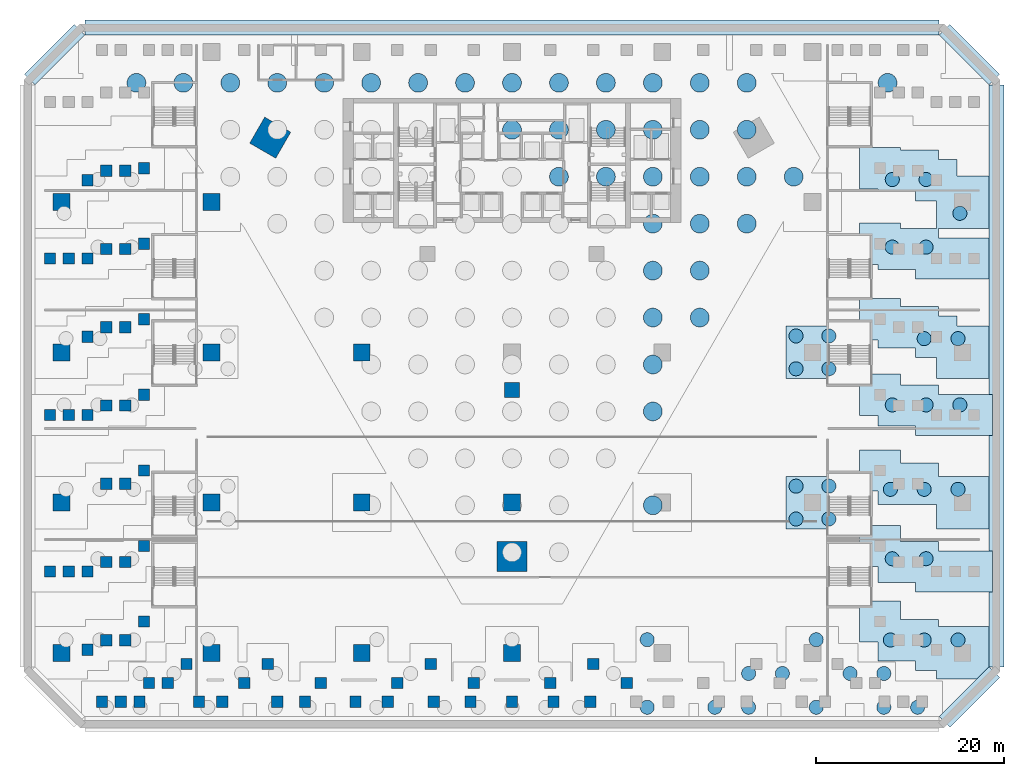
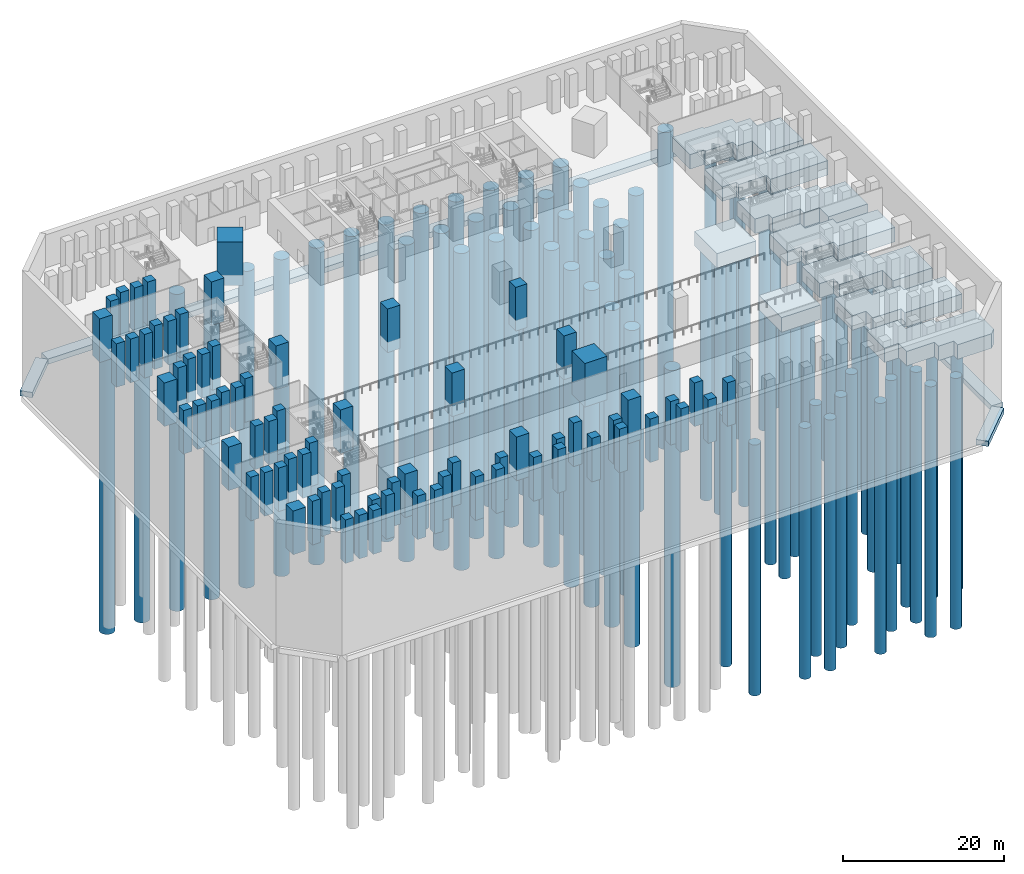
# One storey, part 2 of 27: 75 columns, 75 piles, 13 footings.
"""IFC4 building model written with IfcOpenShell, lengths in metres."""

import ifcopenshell
import ifcopenshell.guid

model = None  # the IFC model being written
_history = None  # IfcOwnerHistory: only IFC2X3 demands one
_inside = {}  # id of a spatial element -> (the spatial element, [elements in it])
_under = {}  # id of a project, library or spatial element -> (it, [spatial elements below it])
_declared = {}  # id of a project -> (the project, [libraries it declares])
_typed = {}  # id of a type object -> (the type object, [elements of that type])
_made_of = {}  # id of a material, layer set ... -> (it, [elements and type objects made of it])


def new_model(schema):
    """Start an empty IFC model of exactly this schema.

    Asked for "IFC4X3", IfcOpenShell would pick the latest addendum, in which some entities
    have other attributes; the version numbers below select the first issue.
    IFC2X3 requires an IfcOwnerHistory on every rooted entity: one is made here for all.
    """
    global model, _history
    if schema == "IFC4X3":
        model = ifcopenshell.file(schema_version=(4, 3, 0, 0))
    else:
        model = ifcopenshell.file(schema=schema)
    _inside.clear()
    _under.clear()
    _declared.clear()
    _typed.clear()
    _made_of.clear()
    _history = None
    if model.schema == "IFC2X3":
        org = make("IfcOrganization", Name="unknown")
        user = make(
            "IfcPersonAndOrganization",
            ThePerson=make("IfcPerson", FamilyName="unknown"),
            TheOrganization=org,
        )
        app = make(
            "IfcApplication",
            ApplicationDeveloper=org,
            Version="unknown",
            ApplicationFullName="unknown",
            ApplicationIdentifier="unknown",
        )
        _history = make(
            "IfcOwnerHistory",
            OwningUser=user,
            OwningApplication=app,
            ChangeAction="ADDED",
            CreationDate=0,
        )
    return model


def make(cls, **values):
    """One entity of the class cls with the attributes given. An attribute that is None is left unset."""
    return model.create_entity(
        cls, **{name: value for name, value in values.items() if value is not None}
    )


def rooted(cls, **values):
    """An entity with a GlobalId (a new one), such as an element, a storey or a relation."""
    return make(cls, GlobalId=ifcopenshell.guid.new(), OwnerHistory=_history, **values)


def si_unit(unit_type, name, prefix=None):
    """IfcSIUnit, for example si_unit("LENGTHUNIT", "METRE", prefix="MILLI")."""
    return make("IfcSIUnit", UnitType=unit_type, Prefix=prefix, Name=name)


def assignment(units):
    """IfcUnitAssignment: the units of a project."""
    return None if units is None else make("IfcUnitAssignment", Units=units)


def point(xyz):
    """IfcCartesianPoint."""
    return None if xyz is None else make("IfcCartesianPoint", Coordinates=xyz)


def direction(xyz):
    """IfcDirection."""
    return None if xyz is None else make("IfcDirection", DirectionRatios=xyz)


def frame(location, z_axis=None, x_axis=None):
    """IfcAxis2Placement3D, a coordinate frame: its origin and axes. An axis left out is left unset."""
    return make(
        "IfcAxis2Placement3D",
        Location=point(location),
        Axis=direction(z_axis),
        RefDirection=direction(x_axis),
    )


def frame_2d(location, x_axis=None):
    """IfcAxis2Placement2D, a coordinate frame in the plane: its origin and x axis."""
    return make(
        "IfcAxis2Placement2D", Location=point(location), RefDirection=direction(x_axis)
    )


def origin():
    """The frame at (0, 0, 0) with its axes left unset."""
    return frame((0.0, 0.0, 0.0))


def origin_2d():
    """The frame at (0, 0) in the plane with its x axis left unset."""
    return frame_2d((0.0, 0.0))


def place(relative_to, where):
    """IfcLocalPlacement: puts the frame where relative to a parent placement (None: the world)."""
    return make(
        "IfcLocalPlacement", PlacementRelTo=relative_to, RelativePlacement=where
    )


def context(
    kind, dimensions, precision=None, world=None, true_north=None, identifier=None
):
    """IfcGeometricRepresentationContext, for example the 3D "Model" context."""
    return make(
        "IfcGeometricRepresentationContext",
        ContextIdentifier=identifier,
        ContextType=kind,
        CoordinateSpaceDimension=dimensions,
        Precision=precision,
        WorldCoordinateSystem=world,
        TrueNorth=true_north,
    )


def subcontext(parent, identifier, kind, view, scale=None):
    """IfcGeometricRepresentationSubContext, for example "Body" below "Model"."""
    return make(
        "IfcGeometricRepresentationSubContext",
        ContextIdentifier=identifier,
        ContextType=kind,
        ParentContext=parent,
        TargetScale=scale,
        TargetView=view,
    )


def project(units=None, contexts=None):
    """IfcProject with its units and contexts."""
    return rooted(
        "IfcProject",
        Name="project",
        RepresentationContexts=contexts,
        UnitsInContext=assignment(units),
    )


def spatial(cls, under=None, at=None, **own):
    """A site, building, storey or space (cls), placed at a placement, below another one or the project."""
    s = rooted(cls, ObjectPlacement=at, **own)
    if under is not None:
        _under.setdefault(under.id(), (under, []))[1].append(s)
    return s


def polyline(points):
    """IfcPolyline through the points."""
    return make("IfcPolyline", Points=[point(p) for p in points])


def profile(cls, at=None, kind="AREA", **sizes):
    """A parametric profile (cls). Its sizes go by their IFC names, for example OverallWidth=200.0."""
    return make(cls, ProfileType=kind, Position=at, **sizes)


def rectangle(**sizes):
    """IfcRectangleProfileDef."""
    return profile("IfcRectangleProfileDef", **sizes)


def circle(**sizes):
    """IfcCircleProfileDef."""
    return profile("IfcCircleProfileDef", **sizes)


def outline(outer, holes=None, kind="AREA"):
    """IfcArbitraryClosedProfileDef: a profile drawn as a closed curve; with holes, ...WithVoids."""
    if holes is None:
        return make("IfcArbitraryClosedProfileDef", ProfileType=kind, OuterCurve=outer)
    return make(
        "IfcArbitraryProfileDefWithVoids",
        ProfileType=kind,
        OuterCurve=outer,
        InnerCurves=holes,
    )


def extrude(swept, where, along, depth):
    """IfcExtrudedAreaSolid: the profile swept, set in the frame where, extruded along a direction by depth."""
    return make(
        "IfcExtrudedAreaSolid",
        SweptArea=swept,
        Position=where,
        ExtrudedDirection=direction(along),
        Depth=depth,
    )


def shape(context_of_items, identifier, shape_type, items):
    """IfcShapeRepresentation: the items that make up one representation, for example the "Body"."""
    return make(
        "IfcShapeRepresentation",
        ContextOfItems=context_of_items,
        RepresentationIdentifier=identifier,
        RepresentationType=shape_type,
        Items=items,
    )


def material(Name=None, Category=None):
    """IfcMaterial."""
    return make("IfcMaterial", Name=Name, Category=Category)


def layer(
    of_material, thickness, ventilated=None, Name=None, Category=None, Priority=None
):
    """IfcMaterialLayer: one layer of a wall or slab, of a material (None: an air gap)."""
    return make(
        "IfcMaterialLayer",
        Material=of_material,
        LayerThickness=thickness,
        IsVentilated=ventilated,
        Name=Name,
        Category=Category,
        Priority=Priority,
    )


def layer_set(layers, Name=None):
    """IfcMaterialLayerSet."""
    return make("IfcMaterialLayerSet", MaterialLayers=layers, LayerSetName=Name)


def material_profile(
    of_material, cross_section, Name=None, Category=None, Priority=None
):
    """IfcMaterialProfile: a cross section and its material."""
    return make(
        "IfcMaterialProfile",
        Name=Name,
        Material=of_material,
        Profile=cross_section,
        Priority=Priority,
        Category=Category,
    )


def profile_set(profiles, Name=None, composite=None):
    """IfcMaterialProfileSet."""
    return make(
        "IfcMaterialProfileSet",
        Name=Name,
        MaterialProfiles=profiles,
        CompositeProfile=composite,
    )


def made_of(thing, what):
    """Note that an element or type object is made of a material, layer set ...; save() writes the relation."""
    if what is not None:
        _made_of.setdefault(what.id(), (what, []))[1].append(thing)
    return thing


def type_object(cls, material=None, **own):
    """A type object (cls), such as IfcWallType, which elements share."""
    return made_of(rooted(cls, **own), material)


def element(
    cls,
    number,
    at=None,
    inside=None,
    cuts=None,
    type_object=None,
    material=None,
    context=None,
    identifier="Body",
    shape_type=None,
    held_by="IfcProductDefinitionShape",
    body=None,
    shapes=None,
    **own,
):
    """One element of the class cls, such as IfcWall. Its Tag is "e" and its number.

    at: its placement. inside: the storey or other place that contains it. cuts: it is an
    opening in that element (IfcRelVoidsElement). A single representation is given by context,
    identifier, shape_type and body (its items); several are given by shapes. held_by: the class
    of the entity that holds the representations. save() writes the other relations.
    """
    e = rooted(cls, Tag="e%d" % number, ObjectPlacement=at, **own)
    if body is not None:
        shapes = [shape(context, identifier, shape_type, body)]
    if shapes is not None:
        e.Representation = make(held_by, Representations=shapes)
    if inside is not None:
        _inside.setdefault(inside.id(), (inside, []))[1].append(e)
    if cuts is not None:
        rooted(
            "IfcRelVoidsElement", RelatingBuildingElement=cuts, RelatedOpeningElement=e
        )
    if type_object is not None:
        _typed.setdefault(type_object.id(), (type_object, []))[1].append(e)
    return made_of(e, material)


def aggregate(whole, parts):
    """IfcRelAggregates: a whole, such as a stair, and the parts it consists of."""
    return rooted("IfcRelAggregates", RelatingObject=whole, RelatedObjects=parts)


def save(model, path):
    """Write the relations noted so far, then the file.

    IfcRelAggregates (storeys below a building ...), IfcRelContainedInSpatialStructure (elements
    in a storey), IfcRelDefinesByType, IfcRelAssociatesMaterial and IfcRelDeclares: one each for
    every whole, place, type object, material and project.
    """
    for whole, parts in _under.values():
        aggregate(whole, parts)
    for where, things in _inside.values():
        rooted(
            "IfcRelContainedInSpatialStructure",
            RelatedElements=things,
            RelatingStructure=where,
        )
    for kind, things in _typed.values():
        rooted("IfcRelDefinesByType", RelatedObjects=things, RelatingType=kind)
    for what, things in _made_of.values():
        rooted("IfcRelAssociatesMaterial", RelatedObjects=things, RelatingMaterial=what)
    for by, libraries in _declared.values():
        rooted("IfcRelDeclares", RelatingContext=by, RelatedDefinitions=libraries)
    model.write(path)


model = new_model("IFC4")

# Units and contexts
model_context = context("Model", 3, precision=1e-05, world=origin(), true_north=direction((0.0, 1.0)))
body_context = subcontext(model_context, "Body", "Model", "MODEL_VIEW")
ifc_project = project(units=[si_unit("LENGTHUNIT", "METRE"), si_unit("AREAUNIT", "SQUARE_METRE"), si_unit("VOLUMEUNIT", "CUBIC_METRE"), si_unit("PLANEANGLEUNIT", "RADIAN"), si_unit("MASSUNIT", "GRAM", prefix="KILO")], contexts=[model_context])

# Site, building, storey
site_placement = place(None, origin())
site = spatial("IfcSite", under=ifc_project, at=site_placement, CompositionType="ELEMENT")
building_placement = place(site_placement, origin())
building = spatial("IfcBuilding", under=site, at=building_placement, Name="Calabash Gate Tower", CompositionType="ELEMENT")
storey_placement = place(building_placement, frame((0.0, 0.0, -10.0)))
storey = spatial("IfcBuildingStorey", under=building, at=storey_placement, Name="B2", CompositionType="ELEMENT", Elevation=-10.0)

# Piles
ifc_material_1 = material(Name="Concrete C40/50", Category="concrete")
ifc_material_profile_1 = material_profile(ifc_material_1, circle(Radius=0.75, at=origin_2d()))
ifc_profile_set_1 = profile_set([ifc_material_profile_1], Name="Concrete C40/50")
pile_type_1 = type_object("IfcPileType", Name="Bored pile 1500 Concrete C40/50", PredefinedType="BORED", material=ifc_profile_set_1)
for number, where, z_axis, x_axis, name in (
    (1, (14.39990234375, -45.800048828125, -3.64990234375), (0.0, 0.0, -1.0), (1.0, 0.0, 0.0), "Pile E01-46-23"),
    (2, (14.39990234375, -38.60009765625, -3.64990234375), (0.0, 0.0, -1.0), (1.0, 0.0, 0.0), "Pile E01-46-24"),
    (3, (21.60009765625, -45.800048828125, -3.64990234375), (0.0, 0.0, -1.0), (1.0, 0.0, 0.0), "Pile E01-46-25"),
    (4, (25.199951171875, -45.800048828125, -3.64990234375), (0.0, 0.0, -1.0), (1.0, 0.0, 0.0), "Pile E01-46-26"),
    (5, (25.199951171875, -42.199951171875, -3.64990234375), (0.0, 0.0, -1.0), (1.0, 0.0, 0.0), "Pile E01-46-27"),
    (6, (28.800048828125, -42.199951171875, -3.64990234375), (0.0, 0.0, -1.0), (1.0, 0.0, 0.0), "Pile E01-46-28"),
    (7, (32.39990234375, -45.800048828125, -3.64990234375), (0.0, 0.0, -1.0), (1.0, 0.0, 0.0), "Pile E01-46-29"),
    (8, (32.39990234375, -38.60009765625, -3.64990234375), (0.0, 0.0, -1.0), (1.0, 0.0, 0.0), "Pile E01-46-30"),
    (9, (36.0, -42.199951171875, -3.64990234375), (0.0, 0.0, -1.0), (1.0, 0.0, 0.0), "Pile E01-46-31"),
    (10, (39.60009765625, -45.800048828125, -3.64990234375), (0.0, 0.0, -1.0), (1.0, 0.0, 0.0), "Pile E01-46-32"),
    (11, (39.60009765625, -42.199951171875, -3.64990234375), (0.0, 0.0, -1.0), (1.0, 0.0, 0.0), "Pile E01-46-33"),
    (12, (43.199951171875, -45.800048828125, -3.64990234375), (0.0, 0.0, -1.0), (1.0, 0.0, 0.0), "Pile E01-46-34"),
    (13, (30.25, -25.75, -3.64990234375), (0.0, 0.0, -1.0), (1.0, 0.0, 0.0), "Pile G6B-1"),
    (14, (30.25, -22.25, -3.64990234375), (0.0, 0.0, -1.0), (1.0, 0.0, 0.0), "Pile G6B-2"),
    (15, (33.75, -25.75, -3.64990234375), (0.0, 0.0, -1.0), (1.0, 0.0, 0.0), "Pile G6B-3"),
    (16, (33.75, -22.25, -3.64990234375), (0.0, 0.0, -1.0), (1.0, 0.0, 0.0), "Pile G6B-4"),
    (17, (30.25, -9.75, -3.64990234375), (0.0, 0.0, -1.0), (1.0, 0.0, 0.0), "Pile G6C-1"),
    (18, (30.25, -6.25, -3.64990234375), (0.0, 0.0, -1.0), (1.0, 0.0, 0.0), "Pile G6C-2"),
    (19, (33.75, -9.75, -3.64990234375), (0.0, 0.0, -1.0), (1.0, 0.0, 0.0), "Pile G6C-3"),
    (20, (33.75, -6.25, -3.64990234375), (0.0, 0.0, -1.0), (1.0, 0.0, 0.0), "Pile G6C-4"),
    (21, (40.300048828125, -38.63427734375, -3.64990234375), (0.0, 0.0, -1.0), (1.0, 0.0, 0.0), "Pile E07-5-1"),
    (22, (43.89990234375, -38.63427734375, -3.64990234375), (0.0, 0.0, -1.0), (1.0, 0.0, 0.0), "Pile E07-5-2"),
    (23, (47.5, -38.63427734375, -3.64990234375), (0.0, 0.0, -1.0), (1.0, 0.0, 0.0), "Pile E07-5-3"),
    (24, (40.5, -29.9775390625, -3.64990234375), (0.0, 0.0, -1.0), (1.0, 0.0, 0.0), "Pile E100-6-1"),
    (25, (44.10009765625, -29.9775390625, -3.64990234375), (0.0, 0.0, -1.0), (1.0, 0.0, 0.0), "Pile E100-6-2"),
    (26, (40.300048828125, -22.586181640625, -3.64990234375), (0.0, 0.0, -1.0), (1.0, 0.0, 0.0), "Pile E23-4-1"),
    (27, (43.89990234375, -22.586181640625, -3.64990234375), (0.0, 0.0, -1.0), (1.0, 0.0, 0.0), "Pile E23-4-2"),
    (28, (47.5, -22.586181640625, -3.64990234375), (0.0, 0.0, -1.0), (1.0, 0.0, 0.0), "Pile E23-4-3"),
    (29, (40.5, -13.595458984375, -3.64990234375), (0.0, 0.0, -1.0), (1.0, 0.0, 0.0), "Pile E119-6-1"),
    (30, (44.10009765625, -13.595458984375, -3.64990234375), (0.0, 0.0, -1.0), (1.0, 0.0, 0.0), "Pile E119-6-2"),
    (31, (47.699951171875, -13.595458984375, -3.64990234375), (0.0, 0.0, -1.0), (1.0, 0.0, 0.0), "Pile E119-6-3"),
    (32, (43.89990234375, -6.5380859375, -3.64990234375), (0.0, 0.0, -1.0), (1.0, 0.0, 0.0), "Pile E21-5-1"),
    (33, (47.5, -6.5380859375, -3.64990234375), (0.0, 0.0, -1.0), (1.0, 0.0, 0.0), "Pile E21-5-2"),
    (34, (40.5, 3.210693359375, -3.64990234375), (0.0, 0.0, -1.0), (1.0, 0.0, 0.0), "Pile E118-11-1"),
    (35, (40.5, 10.41064453125, -3.64990234375), (0.0, 0.0, -1.0), (1.0, 0.0, 0.0), "Pile E118-11-2"),
    (36, (44.10009765625, 3.210693359375, -3.64990234375), (0.0, 0.0, -1.0), (1.0, 0.0, 0.0), "Pile E118-11-3"),
    (37, (44.10009765625, 10.41064453125, -3.64990234375), (0.0, 0.0, -1.0), (1.0, 0.0, 0.0), "Pile E118-11-4"),
    (38, (47.699951171875, 6.810546875, -3.64990234375), (0.0, 0.0, -1.0), (1.0, 0.0, 0.0), "Pile E118-11-5"),
):
    element("IfcPile", number, at=place(storey_placement, frame(where, z_axis=z_axis, x_axis=x_axis)), inside=storey, type_object=pile_type_1, Name=name, PredefinedType="BORED", context=body_context, shape_type="SweptSolid", body=[
        extrude(circle(Radius=0.75, at=origin_2d()), origin(), (0.0, 0.0, 1.0), 38.0),
    ])
ifc_material_2 = material(Name="Concrete C40/50", Category="concrete")
ifc_material_profile_2 = material_profile(ifc_material_2, circle(Radius=1.0, at=origin_2d()))
ifc_profile_set_2 = profile_set([ifc_material_profile_2], Name="Concrete C40/50")
pile_type_2 = type_object("IfcPileType", Name="Bored pile 2000 Concrete C40/50", PredefinedType="BORED", material=ifc_profile_set_2)
for number, where, z_axis, x_axis, name in (
    (39, (-40.0, 20.70849609375, -5.449951171875), (0.0, 0.0, -1.0), (1.0, 0.0, 0.0), "Raft pile 1"),
    (40, (-35.0, 20.70849609375, -5.449951171875), (0.0, 0.0, -1.0), (1.0, 0.0, 0.0), "Raft pile 2"),
    (41, (-30.0, 20.70849609375, -5.449951171875), (0.0, 0.0, -1.0), (1.0, 0.0, 0.0), "Raft pile 5"),
    (42, (-25.0, 20.70849609375, -5.449951171875), (0.0, 0.0, -1.0), (1.0, 0.0, 0.0), "Raft pile 9"),
    (43, (-20.0, 20.70849609375, -5.449951171875), (0.0, 0.0, -1.0), (1.0, 0.0, 0.0), "Raft pile 15"),
    (44, (-15.0, 20.70849609375, -5.449951171875), (0.0, 0.0, -1.0), (1.0, 0.0, 0.0), "Raft pile 24"),
    (45, (-10.0, 20.70849609375, -5.449951171875), (0.0, 0.0, -1.0), (1.0, 0.0, 0.0), "Raft pile 33"),
    (46, (-5.0, 20.70849609375, -5.449951171875), (0.0, 0.0, -1.0), (1.0, 0.0, 0.0), "Raft pile 44"),
    (47, (0.0, 15.70849609375, -5.449951171875), (0.0, 0.0, -1.0), (1.0, 0.0, 0.0), "Raft pile 54"),
    (48, (0.0, 20.70849609375, -5.449951171875), (0.0, 0.0, -1.0), (1.0, 0.0, 0.0), "Raft pile 55"),
    (49, (5.0, 10.70849609375, -5.449951171875), (0.0, 0.0, -1.0), (1.0, 0.0, 0.0), "Raft pile 64"),
    (50, (5.0, 15.70849609375, -5.449951171875), (0.0, 0.0, -1.0), (1.0, 0.0, 0.0), "Raft pile 65"),
    (51, (5.0, 20.70849609375, -5.449951171875), (0.0, 0.0, -1.0), (1.0, 0.0, 0.0), "Raft pile 66"),
    (52, (10.0, 10.70849609375, -5.449951171875), (0.0, 0.0, -1.0), (1.0, 0.0, 0.0), "Raft pile 73"),
    (53, (10.0, 15.70849609375, -5.449951171875), (0.0, 0.0, -1.0), (1.0, 0.0, 0.0), "Raft pile 74"),
    (54, (10.0, 20.70849609375, -5.449951171875), (0.0, 0.0, -1.0), (1.0, 0.0, 0.0), "Raft pile 75"),
    (55, (15.0, -24.29150390625, -5.449951171875), (0.0, 0.0, -1.0), (1.0, 0.0, 0.0), "Raft pile 76"),
    (56, (15.0, -14.29150390625, -5.449951171875), (0.0, 0.0, -1.0), (1.0, 0.0, 0.0), "Raft pile 77"),
    (57, (15.0, -9.29150390625, -5.449951171875), (0.0, 0.0, -1.0), (1.0, 0.0, 0.0), "Raft pile 78"),
    (58, (15.0, -4.29150390625, -5.449951171875), (0.0, 0.0, -1.0), (1.0, 0.0, 0.0), "Raft pile 79"),
    (59, (15.0, 0.70849609375, -5.449951171875), (0.0, 0.0, -1.0), (1.0, 0.0, 0.0), "Raft pile 80"),
    (60, (15.0, 5.70849609375, -5.449951171875), (0.0, 0.0, -1.0), (1.0, 0.0, 0.0), "Raft pile 81"),
    (61, (15.0, 10.70849609375, -5.449951171875), (0.0, 0.0, -1.0), (1.0, 0.0, 0.0), "Raft pile 82"),
    (62, (15.0, 15.70849609375, -5.449951171875), (0.0, 0.0, -1.0), (1.0, 0.0, 0.0), "Raft pile 83"),
    (63, (15.0, 20.70849609375, -5.449951171875), (0.0, 0.0, -1.0), (1.0, 0.0, 0.0), "Raft pile 84"),
    (64, (20.0, -4.29150390625, -5.449951171875), (0.0, 0.0, -1.0), (1.0, 0.0, 0.0), "Raft pile 85"),
    (65, (20.0, 0.70849609375, -5.449951171875), (0.0, 0.0, -1.0), (1.0, 0.0, 0.0), "Raft pile 86"),
    (66, (20.0, 5.70849609375, -5.449951171875), (0.0, 0.0, -1.0), (1.0, 0.0, 0.0), "Raft pile 87"),
    (67, (20.0, 10.70849609375, -5.449951171875), (0.0, 0.0, -1.0), (1.0, 0.0, 0.0), "Raft pile 88"),
    (68, (20.0, 15.70849609375, -5.449951171875), (0.0, 0.0, -1.0), (1.0, 0.0, 0.0), "Raft pile 89"),
    (69, (20.0, 20.70849609375, -5.449951171875), (0.0, 0.0, -1.0), (1.0, 0.0, 0.0), "Raft pile 90"),
    (70, (25.0, 5.70849609375, -5.449951171875), (0.0, 0.0, -1.0), (1.0, 0.0, 0.0), "Raft pile 91"),
    (71, (25.0, 10.70849609375, -5.449951171875), (0.0, 0.0, -1.0), (1.0, 0.0, 0.0), "Raft pile 92"),
    (72, (25.0, 15.70849609375, -5.449951171875), (0.0, 0.0, -1.0), (1.0, 0.0, 0.0), "Raft pile 93"),
    (73, (25.0, 20.70849609375, -5.449951171875), (0.0, 0.0, -1.0), (1.0, 0.0, 0.0), "Raft pile 94"),
    (74, (30.0, 10.70849609375, -5.449951171875), (0.0, 0.0, -1.0), (1.0, 0.0, 0.0), "Raft pile 95"),
    (75, (40.0, 20.70849609375, -5.449951171875), (0.0, 0.0, -1.0), (1.0, 0.0, 0.0), "Raft pile 96"),
):
    element("IfcPile", number, at=place(storey_placement, frame(where, z_axis=z_axis, x_axis=x_axis)), inside=storey, type_object=pile_type_2, Name=name, PredefinedType="BORED", context=body_context, shape_type="SweptSolid", body=[
        extrude(circle(Radius=1.0, at=origin_2d()), origin(), (0.0, 0.0, 1.0), 48.0),
    ])

# Footings
ifc_material_3 = material(Name="Concrete C50/60", Category="concrete")
ifc_layer_1 = layer(ifc_material_3, 0.800048828125)
ifc_layer_set_1 = layer_set([ifc_layer_1], Name="Diaphragm wall toe footing 800 Concrete C50/60")
footing_type_1 = type_object("IfcFootingType", Name="Diaphragm wall toe footing 800 Concrete C50/60", PredefinedType="STRIP_FOOTING", material=ifc_layer_set_1)
footing_1_placement = place(storey_placement, frame((46.068603515625, -47.36572265625, -14.39990234375), z_axis=(0.0, 0.0, 1.0), x_axis=(0.707106781187, 0.707106781187, 0.0)))
element("IfcFooting", 76, at=footing_1_placement, inside=storey, type_object=footing_type_1, Name="Diaphragm wall toe footing 1", PredefinedType="STRIP_FOOTING", context=body_context, shape_type="SweptSolid", body=[
    extrude(rectangle(XDim=7.4912109375, YDim=1.60009765625, at=frame_2d((3.74560546875, 0.0))), origin(), (0.0, 0.0, 1.0), 0.7998046875),
])
footing_2_placement = place(storey_placement, frame((51.60009765625, -41.5029296875, -14.39990234375), z_axis=(0.0, 0.0, 1.0), x_axis=(0.0, 1.0, 0.0)))
element("IfcFooting", 77, at=footing_2_placement, inside=storey, type_object=footing_type_1, Name="Diaphragm wall toe footing 2", PredefinedType="STRIP_FOOTING", context=body_context, shape_type="SweptSolid", body=[
    extrude(rectangle(XDim=62.005859375, YDim=1.60009765625, at=frame_2d((31.0029296875, 0.0))), origin(), (0.0, 0.0, 1.0), 0.7998046875),
])
footing_3_placement = place(storey_placement, frame((51.36572265625, 21.068603515625, -14.39990234375), z_axis=(0.0, 0.0, 1.0), x_axis=(-0.707106781187, 0.707106781187, 0.0)))
element("IfcFooting", 78, at=footing_3_placement, inside=storey, type_object=footing_type_1, Name="Diaphragm wall toe footing 3", PredefinedType="STRIP_FOOTING", context=body_context, shape_type="SweptSolid", body=[
    extrude(rectangle(XDim=7.4912109375, YDim=1.60009765625, at=frame_2d((3.74560546875, 0.0))), origin(), (0.0, 0.0, 1.0), 0.7998046875),
])
footing_4_placement = place(storey_placement, frame((45.5029296875, 26.60009765625, -14.39990234375), z_axis=(0.0, 0.0, 1.0), x_axis=(-1.0, 0.0, 0.0)))
element("IfcFooting", 79, at=footing_4_placement, inside=storey, type_object=footing_type_1, Name="Diaphragm wall toe footing 4", PredefinedType="STRIP_FOOTING", context=body_context, shape_type="SweptSolid", body=[
    extrude(rectangle(XDim=91.005859375, YDim=1.60009765625, at=frame_2d((45.5029296875, 0.0))), origin(), (0.0, 0.0, 1.0), 0.7998046875),
])
footing_5_placement = place(storey_placement, frame((-46.068603515625, 26.36572265625, -14.39990234375), z_axis=(0.0, 0.0, 1.0), x_axis=(-0.707106781187, -0.707106781187, 0.0)))
element("IfcFooting", 80, at=footing_5_placement, inside=storey, type_object=footing_type_1, Name="Diaphragm wall toe footing 5", PredefinedType="STRIP_FOOTING", context=body_context, shape_type="SweptSolid", body=[
    extrude(rectangle(XDim=7.4912109375, YDim=1.60009765625, at=frame_2d((3.74560546875, 0.0))), origin(), (0.0, 0.0, 1.0), 0.7998046875),
])
ifc_material_4 = material(Name="Concrete C50/60", Category="concrete")
ifc_layer_2 = layer(ifc_material_4, 2.199951171875)
ifc_layer_set_2 = layer_set([ifc_layer_2], Name="Pile cap 2200 Concrete C50/60")
footing_type_2 = type_object("IfcFootingType", Name="Pile cap 2200 Concrete C50/60", PredefinedType="PILE_CAP", material=ifc_layer_set_2)
footing_6_placement = place(storey_placement, frame((0.0, 0.0, -3.800048828125)))
element("IfcFooting", 81, at=footing_6_placement, inside=storey, type_object=footing_type_2, Name="Pile cap G6B", PredefinedType="PILE_CAP", context=body_context, shape_type="SweptSolid", body=[
    extrude(outline(polyline([(34.800048828125, -26.800048828125), (29.199951171875, -26.800048828125), (29.199951171875, -21.199951171875), (34.800048828125, -21.199951171875), (34.800048828125, -26.800048828125)])), origin(), (0.0, 0.0, 1.0), 2.199951171875),
])
footing_7_placement = place(storey_placement, frame((0.0, 0.0, -3.800048828125)))
element("IfcFooting", 82, at=footing_7_placement, inside=storey, type_object=footing_type_2, Name="Pile cap G6C", PredefinedType="PILE_CAP", context=body_context, shape_type="SweptSolid", body=[
    extrude(outline(polyline([(34.800048828125, -10.800048828125), (29.199951171875, -10.800048828125), (29.199951171875, -5.199951171875), (34.800048828125, -5.199951171875), (34.800048828125, -10.800048828125)])), origin(), (0.0, 0.0, 1.0), 2.199951171875),
])
footing_8_placement = place(storey_placement, frame((0.0, 0.0, -3.800048828125)))
element("IfcFooting", 83, at=footing_8_placement, inside=storey, type_object=footing_type_2, Name="Pile cap E07+E35+E71+E89+G7A", PredefinedType="PILE_CAP", context=body_context, shape_type="SweptSolid", body=[
    extrude(outline(polyline([(41.39990234375, -36.468505859375), (43.39990234375, -36.468505859375), (45.39990234375, -36.468505859375), (45.39990234375, -37.199951171875), (50.800048828125, -37.199951171875), (50.800048828125, -42.068603515625), (50.068603515625, -42.800048828125), (45.199951171875, -42.800048828125), (45.199951171875, -41.86865234375), (43.0, -41.86865234375), (43.0, -40.86865234375), (41.0, -40.86865234375), (39.0, -40.86865234375), (39.0, -38.86865234375), (37.0, -38.86865234375), (37.0, -34.468505859375), (41.39990234375, -34.468505859375), (41.39990234375, -36.468505859375)])), origin(), (0.0, 0.0, 1.0), 2.199951171875),
])
footing_9_placement = place(storey_placement, frame((0.0, 0.0, -3.800048828125)))
element("IfcFooting", 84, at=footing_9_placement, inside=storey, type_object=footing_type_2, Name="Pile cap E100+E120+E141+E24+E56+E84", PredefinedType="PILE_CAP", context=body_context, shape_type="SweptSolid", body=[
    extrude(outline(polyline([(41.39990234375, -28.134765625), (43.39990234375, -28.134765625), (45.39990234375, -28.134765625), (45.39990234375, -29.134765625), (47.0, -29.134765625), (47.39990234375, -29.134765625), (49.39990234375, -29.134765625), (51.199951171875, -29.134765625), (51.199951171875, -33.53466796875), (49.39990234375, -33.53466796875), (47.39990234375, -33.53466796875), (47.0, -33.53466796875), (45.0, -33.53466796875), (43.0, -33.53466796875), (43.0, -32.53466796875), (41.0, -32.53466796875), (39.0, -32.53466796875), (39.0, -30.8203125), (37.0, -30.8203125), (37.0, -26.42041015625), (41.39990234375, -26.42041015625), (41.39990234375, -28.134765625)])), origin(), (0.0, 0.0, 1.0), 2.199951171875),
])
footing_10_placement = place(storey_placement, frame((0.0, 0.0, -3.800048828125)))
element("IfcFooting", 85, at=footing_10_placement, inside=storey, type_object=footing_type_2, Name="Pile cap E23+E55+E83+G7B", PredefinedType="PILE_CAP", context=body_context, shape_type="SweptSolid", body=[
    extrude(outline(polyline([(37.0, -18.372314453125), (41.39990234375, -18.372314453125), (41.39990234375, -19.80078125), (43.39990234375, -19.80078125), (45.39990234375, -19.80078125), (45.39990234375, -21.199951171875), (50.800048828125, -21.199951171875), (50.800048828125, -26.800048828125), (45.199951171875, -26.800048828125), (45.199951171875, -24.20068359375), (43.39990234375, -24.20068359375), (41.0, -24.20068359375), (39.0, -24.20068359375), (39.0, -22.772216796875), (37.0, -22.772216796875), (37.0, -18.372314453125)])), origin(), (0.0, 0.0, 1.0), 2.199951171875),
])
footing_11_placement = place(storey_placement, frame((0.0, 0.0, -3.800048828125)))
element("IfcFooting", 86, at=footing_11_placement, inside=storey, type_object=footing_type_2, Name="Pile cap E119+E140+E22+E54+E82+E99", PredefinedType="PILE_CAP", context=body_context, shape_type="SweptSolid", body=[
    extrude(outline(polyline([(41.39990234375, -11.466796875), (43.39990234375, -11.466796875), (45.39990234375, -11.466796875), (45.39990234375, -12.466796875), (47.0, -12.466796875), (47.39990234375, -12.466796875), (49.39990234375, -12.466796875), (51.199951171875, -12.466796875), (51.199951171875, -16.866943359375), (49.39990234375, -16.866943359375), (47.39990234375, -16.866943359375), (47.0, -16.866943359375), (45.0, -16.866943359375), (43.0, -16.866943359375), (43.0, -15.866943359375), (41.0, -15.866943359375), (39.0, -15.866943359375), (39.0, -14.72412109375), (37.0, -14.72412109375), (37.0, -10.32421875), (41.39990234375, -10.32421875), (41.39990234375, -11.466796875)])), origin(), (0.0, 0.0, 1.0), 2.199951171875),
])
footing_12_placement = place(storey_placement, frame((0.0, 0.0, -3.800048828125)))
element("IfcFooting", 87, at=footing_12_placement, inside=storey, type_object=footing_type_2, Name="Pile cap E21+E53+E81+E98+G7C", PredefinedType="PILE_CAP", context=body_context, shape_type="SweptSolid", body=[
    extrude(outline(polyline([(41.39990234375, -3.133056640625), (43.39990234375, -3.133056640625), (45.39990234375, -3.133056640625), (45.39990234375, -4.133056640625), (47.39990234375, -4.133056640625), (47.39990234375, -5.199951171875), (50.800048828125, -5.199951171875), (50.800048828125, -10.800048828125), (45.199951171875, -10.800048828125), (45.199951171875, -8.533203125), (43.0, -8.533203125), (43.0, -7.533203125), (41.0, -7.533203125), (39.0, -7.533203125), (39.0, -6.67578125), (37.0, -6.67578125), (37.0, -2.27587890625), (41.39990234375, -2.27587890625), (41.39990234375, -3.133056640625)])), origin(), (0.0, 0.0, 1.0), 2.199951171875),
])
footing_13_placement = place(storey_placement, frame((0.0, 0.0, -3.800048828125)))
element("IfcFooting", 88, at=footing_13_placement, inside=storey, type_object=footing_type_2, Name="Pile cap E118+E139+E19+E20+E51+E52+E79+E80+E96+E97+G7D", PredefinedType="PILE_CAP", context=body_context, shape_type="SweptSolid", body=[
    extrude(outline(polyline([(41.39990234375, 5.20068359375), (43.39990234375, 5.20068359375), (45.199951171875, 5.20068359375), (45.199951171875, 8.134765625), (43.0, 8.134765625), (43.0, 9.134765625), (41.0, 9.134765625), (39.0, 9.134765625), (39.0, 9.42041015625), (37.0, 9.42041015625), (37.0, 13.8203125), (41.39990234375, 13.8203125), (41.39990234375, 13.53466796875), (43.39990234375, 13.53466796875), (45.39990234375, 13.53466796875), (45.39990234375, 12.53466796875), (47.39990234375, 12.53466796875), (47.39990234375, 10.800048828125), (50.800048828125, 10.800048828125), (50.800048828125, 5.199951171875), (45.39990234375, 5.199951171875), (45.39990234375, 4.20068359375), (47.0, 4.20068359375), (47.39990234375, 4.20068359375), (49.39990234375, 4.20068359375), (51.199951171875, 4.20068359375), (51.199951171875, -0.19921875), (49.39990234375, -0.19921875), (47.39990234375, -0.19921875), (47.0, -0.19921875), (45.0, -0.19921875), (43.0, -0.19921875), (43.0, 0.80078125), (41.0, 0.80078125), (39.0, 0.80078125), (39.0, 1.372314453125), (37.0, 1.372314453125), (37.0, 5.772216796875), (41.39990234375, 5.772216796875), (41.39990234375, 5.20068359375)])), origin(), (0.0, 0.0, 1.0), 2.199951171875),
])

# Columns
ifc_material_5 = material(Name="Concrete C80/95", Category="concrete")
ifc_material_profile_3 = material_profile(ifc_material_5, rectangle(XDim=1.60009765625, YDim=1.60009765625, at=origin_2d()))
ifc_profile_set_3 = profile_set([ifc_material_profile_3], Name="Concrete C80/95")
column_type_1 = type_object("IfcColumnType", Name="Interior column RC 1600x1600 Concrete C80/95", PredefinedType="COLUMN", material=ifc_profile_set_3)
column_placement = place(storey_placement, frame((0.0, -12.0, -1.60009765625), z_axis=(0.0, 0.0, 1.0), x_axis=(1.0, 0.0, 0.0)))
element("IfcColumn", 89, at=column_placement, inside=storey, type_object=column_type_1, Name="Interior column B2 I2", PredefinedType="COLUMN", context=body_context, shape_type="SweptSolid", body=[
    extrude(rectangle(XDim=1.60009765625, YDim=1.60009765625, at=origin_2d()), origin(), (0.0, 0.0, 1.0), 6.60009765625),
])
ifc_material_6 = material(Name="Concrete C80/95", Category="concrete")
ifc_material_profile_4 = material_profile(ifc_material_6, rectangle(XDim=3.199951171875, YDim=3.199951171875, at=origin_2d()))
ifc_profile_set_4 = profile_set([ifc_material_profile_4], Name="Concrete C80/95")
column_type_2 = type_object("IfcColumnType", Name="Mega column RC 3200x3200 Concrete C80/95", PredefinedType="COLUMN", material=ifc_profile_set_4)
for number, where, z_axis, x_axis, name in (
    (90, (-25.75, 14.866943359375, -1.60009765625), (0.0, 0.0, 1.0), (0.866025386331, -0.50000003023, 0.0), "Mega column B2 NW"),
    (91, (0.0, -29.73291015625, -1.60009765625), (0.0, 0.0, 1.0), (0.0, 1.0, 0.0), "Mega column B2 S"),
):
    element("IfcColumn", number, at=place(storey_placement, frame(where, z_axis=z_axis, x_axis=x_axis)), inside=storey, type_object=column_type_2, Name=name, PredefinedType="COLUMN", context=body_context, shape_type="SweptSolid", body=[
        extrude(rectangle(XDim=3.199951171875, YDim=3.199951171875, at=origin_2d()), origin(), (0.0, 0.0, 1.0), 6.60009765625),
    ])
ifc_material_7 = material(Name="Concrete C80/95", Category="concrete")
ifc_material_profile_5 = material_profile(ifc_material_7, rectangle(XDim=1.800048828125, YDim=1.800048828125, at=origin_2d()))
ifc_profile_set_5 = profile_set([ifc_material_profile_5], Name="Concrete C80/95")
column_type_3 = type_object("IfcColumnType", Name="Podium column RC 1800x1800 Concrete C80/95", PredefinedType="COLUMN", material=ifc_profile_set_5)
for number, where, z_axis, x_axis, name in (
    (92, (-48.0, -40.0, -1.60009765625), (0.0, 0.0, 1.0), (1.0, 0.0, 0.0), "Podium column B2 G1A"),
    (93, (-48.0, -24.0, -1.60009765625), (0.0, 0.0, 1.0), (1.0, 0.0, 0.0), "Podium column B2 G1B"),
    (94, (-48.0, -8.0, -1.60009765625), (0.0, 0.0, 1.0), (1.0, 0.0, 0.0), "Podium column B2 G1C"),
    (95, (-48.0, 8.0, -1.60009765625), (0.0, 0.0, 1.0), (1.0, 0.0, 0.0), "Podium column B2 G1D"),
    (96, (-32.0, -40.0, -1.60009765625), (0.0, 0.0, 1.0), (1.0, 0.0, 0.0), "Podium column B2 G2A"),
    (97, (-32.0, -24.0, -1.60009765625), (0.0, 0.0, 1.0), (1.0, 0.0, 0.0), "Podium column B2 G2B"),
    (98, (-32.0, -8.0, -1.60009765625), (0.0, 0.0, 1.0), (1.0, 0.0, 0.0), "Podium column B2 G2C"),
    (99, (-32.0, 8.0, -1.60009765625), (0.0, 0.0, 1.0), (1.0, 0.0, 0.0), "Podium column B2 G2D"),
    (100, (-16.0, -40.0, -1.60009765625), (0.0, 0.0, 1.0), (1.0, 0.0, 0.0), "Podium column B2 G3A"),
    (101, (-16.0, -24.0, -1.60009765625), (0.0, 0.0, 1.0), (1.0, 0.0, 0.0), "Podium column B2 G3B"),
    (102, (-16.0, -8.0, -1.60009765625), (0.0, 0.0, 1.0), (1.0, 0.0, 0.0), "Podium column B2 G3C"),
    (103, (0.0, -40.0, -1.60009765625), (0.0, 0.0, 1.0), (1.0, 0.0, 0.0), "Podium column B2 G4A"),
    (104, (0.0, -24.0, -1.60009765625), (0.0, 0.0, 1.0), (1.0, 0.0, 0.0), "Podium column B2 G4B"),
):
    element("IfcColumn", number, at=place(storey_placement, frame(where, z_axis=z_axis, x_axis=x_axis)), inside=storey, type_object=column_type_3, Name=name, PredefinedType="COLUMN", context=body_context, shape_type="SweptSolid", body=[
        extrude(rectangle(XDim=1.800048828125, YDim=1.800048828125, at=origin_2d()), origin(), (0.0, 0.0, 1.0), 6.60009765625),
    ])
ifc_material_8 = material(Name="Concrete C80/95", Category="concrete")
ifc_material_profile_6 = material_profile(ifc_material_8, rectangle(XDim=1.199951171875, YDim=1.199951171875, at=origin_2d()))
ifc_profile_set_6 = profile_set([ifc_material_profile_6], Name="Concrete C80/95")
column_type_4 = type_object("IfcColumnType", Name="Podium edge column RC 1200x1200 Concrete C80/95", PredefinedType="COLUMN", material=ifc_profile_set_6)
for number, where, z_axis, x_axis, name in (
    (105, (-34.6689453125, -41.199951171875, -1.60009765625), (0.0, 0.0, 1.0), (1.0, 0.0, 0.0), "Podium edge column B2 E01"),
    (106, (-39.199951171875, -36.6689453125, -1.60009765625), (0.0, 0.0, 1.0), (1.0, 0.0, 0.0), "Podium edge column B2 E02"),
    (107, (-39.199951171875, -28.6201171875, -1.60009765625), (0.0, 0.0, 1.0), (1.0, 0.0, 0.0), "Podium edge column B2 E09"),
    (108, (-39.199951171875, -20.572021484375, -1.60009765625), (0.0, 0.0, 1.0), (1.0, 0.0, 0.0), "Podium edge column B2 E10"),
    (109, (-39.199951171875, -12.52392578125, -1.60009765625), (0.0, 0.0, 1.0), (1.0, 0.0, 0.0), "Podium edge column B2 E11"),
    (110, (-39.199951171875, -4.47607421875, -1.60009765625), (0.0, 0.0, 1.0), (1.0, 0.0, 0.0), "Podium edge column B2 E12"),
    (111, (-39.199951171875, 3.572021484375, -1.60009765625), (0.0, 0.0, 1.0), (1.0, 0.0, 0.0), "Podium edge column B2 E13"),
    (112, (-39.199951171875, 11.6201171875, -1.60009765625), (0.0, 0.0, 1.0), (1.0, 0.0, 0.0), "Podium edge column B2 E14"),
    (113, (8.6669921875, -41.199951171875, -1.60009765625), (0.0, 0.0, 1.0), (1.0, 0.0, 0.0), "Podium edge column B2 E26"),
    (114, (-8.6669921875, -41.199951171875, -1.60009765625), (0.0, 0.0, 1.0), (1.0, 0.0, 0.0), "Podium edge column B2 E27"),
    (115, (-26.001953125, -41.199951171875, -1.60009765625), (0.0, 0.0, 1.0), (1.0, 0.0, 0.0), "Podium edge column B2 E28"),
    (116, (-36.6689453125, -43.199951171875, -1.60009765625), (0.0, 0.0, 1.0), (1.0, 0.0, 0.0), "Podium edge column B2 E29"),
    (117, (-41.199951171875, -38.6689453125, -1.60009765625), (0.0, 0.0, 1.0), (1.0, 0.0, 0.0), "Podium edge column B2 E30"),
    (118, (-41.199951171875, -30.3330078125, -1.60009765625), (0.0, 0.0, 1.0), (1.0, 0.0, 0.0), "Podium edge column B2 E37"),
    (119, (-41.199951171875, -22.0009765625, -1.60009765625), (0.0, 0.0, 1.0), (1.0, 0.0, 0.0), "Podium edge column B2 E38"),
    (120, (-41.199951171875, -13.6669921875, -1.60009765625), (0.0, 0.0, 1.0), (1.0, 0.0, 0.0), "Podium edge column B2 E39"),
    (121, (-41.199951171875, -5.3330078125, -1.60009765625), (0.0, 0.0, 1.0), (1.0, 0.0, 0.0), "Podium edge column B2 E40"),
    (122, (-41.199951171875, 3.0009765625, -1.60009765625), (0.0, 0.0, 1.0), (1.0, 0.0, 0.0), "Podium edge column B2 E41"),
    (123, (-41.199951171875, 11.3369140625, -1.60009765625), (0.0, 0.0, 1.0), (1.0, 0.0, 0.0), "Podium edge column B2 E42"),
    (124, (12.222900390625, -43.199951171875, -1.60009765625), (0.0, 0.0, 1.0), (1.0, 0.0, 0.0), "Podium edge column B2 E59"),
    (125, (4.073974609375, -43.199951171875, -1.60009765625), (0.0, 0.0, 1.0), (1.0, 0.0, 0.0), "Podium edge column B2 E60"),
    (126, (-4.073974609375, -43.199951171875, -1.60009765625), (0.0, 0.0, 1.0), (1.0, 0.0, 0.0), "Podium edge column B2 E61"),
    (127, (-12.222900390625, -43.199951171875, -1.60009765625), (0.0, 0.0, 1.0), (1.0, 0.0, 0.0), "Podium edge column B2 E62"),
    (128, (-20.3720703125, -43.199951171875, -1.60009765625), (0.0, 0.0, 1.0), (1.0, 0.0, 0.0), "Podium edge column B2 E63"),
    (129, (-28.52001953125, -43.199951171875, -1.60009765625), (0.0, 0.0, 1.0), (1.0, 0.0, 0.0), "Podium edge column B2 E64"),
    (130, (-38.6689453125, -43.199951171875, -1.60009765625), (0.0, 0.0, 1.0), (1.0, 0.0, 0.0), "Podium edge column B2 E65"),
    (131, (-43.199951171875, -38.6689453125, -1.60009765625), (0.0, 0.0, 1.0), (1.0, 0.0, 0.0), "Podium edge column B2 E66"),
    (132, (-43.199951171875, -30.3330078125, -1.60009765625), (0.0, 0.0, 1.0), (1.0, 0.0, 0.0), "Podium edge column B2 E73"),
    (133, (-43.199951171875, -22.0009765625, -1.60009765625), (0.0, 0.0, 1.0), (1.0, 0.0, 0.0), "Podium edge column B2 E74"),
    (134, (-43.199951171875, -13.6669921875, -1.60009765625), (0.0, 0.0, 1.0), (1.0, 0.0, 0.0), "Podium edge column B2 E75"),
    (135, (-43.199951171875, -5.3330078125, -1.60009765625), (0.0, 0.0, 1.0), (1.0, 0.0, 0.0), "Podium edge column B2 E76"),
    (136, (-43.199951171875, 3.0009765625, -1.60009765625), (0.0, 0.0, 1.0), (1.0, 0.0, 0.0), "Podium edge column B2 E77"),
    (137, (-43.199951171875, 11.3369140625, -1.60009765625), (0.0, 0.0, 1.0), (1.0, 0.0, 0.0), "Podium edge column B2 E78"),
    (138, (-39.6689453125, -45.199951171875, -1.60009765625), (0.0, 0.0, 1.0), (1.0, 0.0, 0.0), "Podium edge column B2 E85"),
    (139, (-45.199951171875, -39.6689453125, -1.60009765625), (0.0, 0.0, 1.0), (1.0, 0.0, 0.0), "Podium edge column B2 E86"),
    (140, (-45.199951171875, -31.3330078125, -1.60009765625), (0.0, 0.0, 1.0), (1.0, 0.0, 0.0), "Podium edge column B2 E91"),
    (141, (-45.199951171875, -14.6669921875, -1.60009765625), (0.0, 0.0, 1.0), (1.0, 0.0, 0.0), "Podium edge column B2 E92"),
    (142, (-45.199951171875, -6.3330078125, -1.60009765625), (0.0, 0.0, 1.0), (1.0, 0.0, 0.0), "Podium edge column B2 E93"),
    (143, (-45.199951171875, 2.0009765625, -1.60009765625), (0.0, 0.0, 1.0), (1.0, 0.0, 0.0), "Podium edge column B2 E94"),
    (144, (-45.199951171875, 10.3369140625, -1.60009765625), (0.0, 0.0, 1.0), (1.0, 0.0, 0.0), "Podium edge column B2 E95"),
    (145, (4.407958984375, -45.199951171875, -1.60009765625), (0.0, 0.0, 1.0), (1.0, 0.0, 0.0), "Podium edge column B2 E104"),
    (146, (-4.407958984375, -45.199951171875, -1.60009765625), (0.0, 0.0, 1.0), (1.0, 0.0, 0.0), "Podium edge column B2 E105"),
    (147, (-13.222900390625, -45.199951171875, -1.60009765625), (0.0, 0.0, 1.0), (1.0, 0.0, 0.0), "Podium edge column B2 E106"),
    (148, (-22.0380859375, -45.199951171875, -1.60009765625), (0.0, 0.0, 1.0), (1.0, 0.0, 0.0), "Podium edge column B2 E107"),
    (149, (-30.85302734375, -45.199951171875, -1.60009765625), (0.0, 0.0, 1.0), (1.0, 0.0, 0.0), "Podium edge column B2 E108"),
    (150, (-41.6689453125, -45.199951171875, -1.60009765625), (0.0, 0.0, 1.0), (1.0, 0.0, 0.0), "Podium edge column B2 E109"),
    (151, (-47.199951171875, -31.3330078125, -1.60009765625), (0.0, 0.0, 1.0), (1.0, 0.0, 0.0), "Podium edge column B2 E115"),
    (152, (-47.199951171875, -14.6669921875, -1.60009765625), (0.0, 0.0, 1.0), (1.0, 0.0, 0.0), "Podium edge column B2 E116"),
    (153, (-47.199951171875, 2.0009765625, -1.60009765625), (0.0, 0.0, 1.0), (1.0, 0.0, 0.0), "Podium edge column B2 E117"),
    (154, (8.333984375, -45.199951171875, -1.60009765625), (0.0, 0.0, 1.0), (1.0, 0.0, 0.0), "Podium edge column B2 E124"),
    (155, (0.0, -45.199951171875, -1.60009765625), (0.0, 0.0, 1.0), (1.0, 0.0, 0.0), "Podium edge column B2 E125"),
    (156, (-8.333984375, -45.199951171875, -1.60009765625), (0.0, 0.0, 1.0), (1.0, 0.0, 0.0), "Podium edge column B2 E126"),
    (157, (-16.66796875, -45.199951171875, -1.60009765625), (0.0, 0.0, 1.0), (1.0, 0.0, 0.0), "Podium edge column B2 E127"),
    (158, (-25.0009765625, -45.199951171875, -1.60009765625), (0.0, 0.0, 1.0), (1.0, 0.0, 0.0), "Podium edge column B2 E128"),
    (159, (-33.3330078125, -45.199951171875, -1.60009765625), (0.0, 0.0, 1.0), (1.0, 0.0, 0.0), "Podium edge column B2 E129"),
    (160, (-43.6689453125, -45.199951171875, -1.60009765625), (0.0, 0.0, 1.0), (1.0, 0.0, 0.0), "Podium edge column B2 E130"),
    (161, (-49.199951171875, -31.3330078125, -1.60009765625), (0.0, 0.0, 1.0), (1.0, 0.0, 0.0), "Podium edge column B2 E136"),
    (162, (-49.199951171875, -14.6669921875, -1.60009765625), (0.0, 0.0, 1.0), (1.0, 0.0, 0.0), "Podium edge column B2 E137"),
    (163, (-49.199951171875, 2.0009765625, -1.60009765625), (0.0, 0.0, 1.0), (1.0, 0.0, 0.0), "Podium edge column B2 E138"),
):
    element("IfcColumn", number, at=place(storey_placement, frame(where, z_axis=z_axis, x_axis=x_axis)), inside=storey, type_object=column_type_4, Name=name, PredefinedType="COLUMN", context=body_context, shape_type="SweptSolid", body=[
        extrude(rectangle(XDim=1.199951171875, YDim=1.199951171875, at=origin_2d()), origin(), (0.0, 0.0, 1.0), 6.60009765625),
    ])

save(model, "model.ifc")
